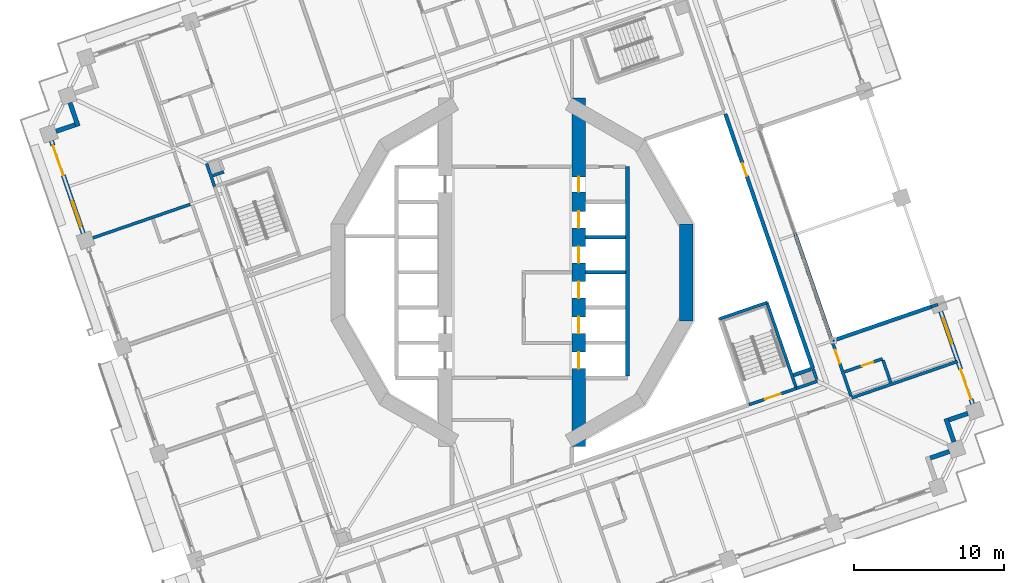
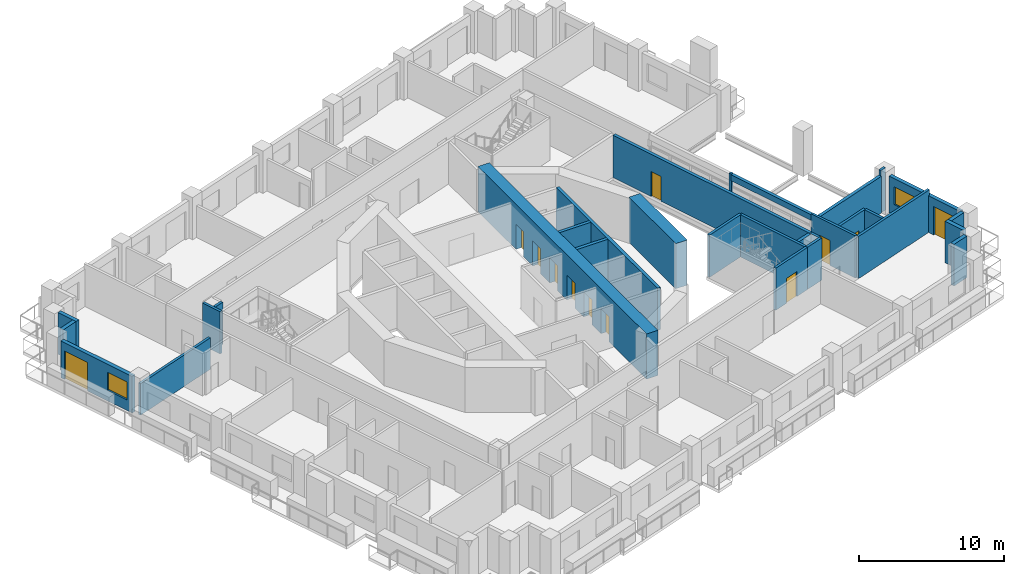
# One storey, part 11 of 22: 30 walls, 12 doors, 2 windows, 14 openings.
"""IFC4 building model written with IfcOpenShell, lengths in metres."""

from ifc_helpers import new_model, si_unit, direction, frame, frame_2d, origin, place, context, subcontext, project, spatial, rectangle, extrude, material, layer, layer_set, type_object, element, fill, save


model = new_model("IFC4")

# Units and contexts
model_context = context("Model", 3, precision=1e-05, world=origin(), true_north=direction((0.0, 1.0)))
body_context = subcontext(model_context, "Body", "Model", "MODEL_VIEW")
ifc_project = project(units=[si_unit("LENGTHUNIT", "METRE"), si_unit("AREAUNIT", "SQUARE_METRE"), si_unit("VOLUMEUNIT", "CUBIC_METRE"), si_unit("PLANEANGLEUNIT", "RADIAN"), si_unit("MASSUNIT", "GRAM", prefix="KILO")], contexts=[model_context])

# Site, building, storey
site_placement = place(None, origin())
site = spatial("IfcSite", under=ifc_project, at=site_placement, CompositionType="ELEMENT")
building_placement = place(site_placement, origin())
building = spatial("IfcBuilding", under=site, at=building_placement, Name="Cantera Rosa Tower", CompositionType="ELEMENT")
storey_placement = place(building_placement, frame((0.0, 0.0, 115.5)))
storey = spatial("IfcBuildingStorey", under=building, at=storey_placement, Name="L23", CompositionType="ELEMENT", Elevation=115.5)

# Walls
ifc_material_1 = material(Name="Gypsum board partition")
ifc_layer_1 = layer(ifc_material_1, 0.199951171875)
ifc_layer_set_1 = layer_set([ifc_layer_1], Name="CORRIDOR WALL 200 H3550")
wall_type_1 = type_object("IfcWallType", Name="CORRIDOR WALL 200 H3550", PredefinedType="PARTITIONING", material=ifc_layer_set_1)
wall_1_placement = place(storey_placement, frame((-20.37451171875, 7.262451171875, 0.0), z_axis=(0.0, 0.0, 1.0), x_axis=(0.325532736599, -0.945530770204, 0.0)))
element("IfcWall", 1, at=wall_1_placement, inside=storey, type_object=wall_type_1, Name="CORRIDOR WALL L23-008", PredefinedType="PARTITIONING", context=body_context, shape_type="SweptSolid", body=[
    extrude(rectangle(XDim=1.626708984375, YDim=0.199951171875, at=frame_2d((0.8134765625, 0.0))), origin(), (0.0, 0.0, 1.0), 3.550048828125),
])
wall_2_placement = place(storey_placement, frame((18.978271484375, -7.7431640625, 0.0), z_axis=(0.0, 0.0, 1.0), x_axis=(0.945529243519, 0.32553717092, 0.0)))
element("IfcWall", 2, at=wall_2_placement, inside=storey, type_object=wall_type_1, Name="CORRIDOR WALL L23-101", PredefinedType="PARTITIONING", context=body_context, shape_type="SweptSolid", body=[
    extrude(rectangle(XDim=1.4765625, YDim=0.199951171875, at=frame_2d((0.73828125, 0.0))), origin(), (0.0, 0.0, 1.0), 3.550048828125),
])
wall_3_placement = place(storey_placement, frame((20.33544921875, -7.14892578125, 0.0), z_axis=(0.0, 0.0, 1.0), x_axis=(-0.32575306004, 0.945454887276, 0.0)))
element("IfcWall", 3, at=wall_3_placement, inside=storey, type_object=wall_type_1, Name="CORRIDOR WALL L23-104", PredefinedType="PARTITIONING", context=body_context, shape_type="SweptSolid", body=[
    extrude(rectangle(XDim=0.760009765625, YDim=0.199951171875, at=frame_2d((0.3798828125, 0.0))), origin(), (0.0, 0.0, 1.0), 3.550048828125),
])

# Wall, opening, door
wall_4_placement = place(storey_placement, frame((22.623291015625, -8.264892578125, 0.0), z_axis=(0.0, 0.0, 1.0), x_axis=(-0.325528940761, 0.945532077048, 0.0)))
wall_4 = element("IfcWall", 4, at=wall_4_placement, inside=storey, type_object=wall_type_1, Name="CORRIDOR WALL L23-107", PredefinedType="PARTITIONING", context=body_context, shape_type="SweptSolid", body=[
    extrude(rectangle(XDim=4.025146484375, YDim=0.199951171875, at=frame_2d((2.0126953125, 0.0))), origin(), (0.0, 0.0, 1.0), 3.550048828125),
])
opening_1_placement = place(wall_4_placement, frame((2.31494140625, 0.0, 0.0)))
opening_1 = element("IfcOpeningElement", 5, at=opening_1_placement, cuts=wall_4, Name="Opening L23-015", PredefinedType="OPENING", context=body_context, shape_type="SweptSolid", body=[
    extrude(rectangle(XDim=0.949951171875, YDim=2.10009765625, at=frame_2d((0.47509765625, 1.050048828125))), frame((0.0, 0.10986328125, 0.0), z_axis=(0.0, -1.0, 0.0), x_axis=(1.0, 0.0, 0.0)), (0.0, 0.0, 1.0), 0.219970703125),
])
ifc_material_2 = material(Name="Timber door leaf", Category="wood")
door_type_1 = type_object("IfcDoorType", Name="ROOM DOOR 950x2100", OperationType="NOTDEFINED", PredefinedType="DOOR", material=ifc_material_2)
door_1_placement = place(opening_1_placement, origin())
door_1 = element("IfcDoor", 6, at=door_1_placement, inside=storey, type_object=door_type_1, Name="DOOR L23-015", OperationType="NOTDEFINED", OverallHeight=2.10009765625, OverallWidth=0.949951171875, PredefinedType="DOOR", context=body_context, shape_type="SweptSolid", body=[
    extrude(rectangle(XDim=0.949951171875, YDim=2.10009765625, at=frame_2d((0.47509765625, 1.050048828125))), frame((0.0, 0.02490234375, 0.0), z_axis=(0.0, -1.0, 0.0), x_axis=(1.0, 0.0, 0.0)), (0.0, 0.0, 1.0), 0.050048828125),
])
fill(opening_1, door_1)

# Walls
wall_5_placement = place(storey_placement, frame((18.93701171875, 2.44140625, 0.0), z_axis=(0.0, 0.0, 1.0), x_axis=(-0.326029477127, 0.945359603561, 0.0)))
element("IfcWall", 7, at=wall_5_placement, inside=storey, type_object=wall_type_1, Name="CORRIDOR WALL L23-108", PredefinedType="PARTITIONING", context=body_context, shape_type="SweptSolid", body=[
    extrude(rectangle(XDim=0.19384765625, YDim=0.199951171875, at=frame_2d((0.096923828125, 0.0))), origin(), (0.0, 0.0, 1.0), 3.550048828125),
])
ifc_material_3 = material(Name="Hollow clay masonry with cantera stone cladding", Category="masonry")
ifc_layer_2 = layer(ifc_material_3, 0.300048828125)
ifc_layer_set_2 = layer_set([ifc_layer_2], Name="EW-LOGGIA 300")
wall_type_2 = type_object("IfcWallType", Name="EW-LOGGIA 300", PredefinedType="SOLIDWALL", material=ifc_layer_set_2)
wall_6_placement = place(storey_placement, frame((-29.490478515625, 11.315185546875, 0.0), z_axis=(0.0, 0.0, 1.0), x_axis=(0.32553462645, -0.945530119553, 0.0)))
element("IfcWall", 8, at=wall_6_placement, inside=storey, type_object=wall_type_2, Name="EN-L23-W15a", PredefinedType="SOLIDWALL", context=body_context, shape_type="SweptSolid", body=[
    extrude(rectangle(XDim=1.64990234375, YDim=0.300048828125, at=frame_2d((0.824951171875, 0.0))), origin(), (0.0, 0.0, 1.0), 3.5),
])
wall_7_placement = place(storey_placement, frame((-29.14404296875, 9.84814453125, 0.0), z_axis=(0.0, 0.0, 1.0), x_axis=(-0.945526634763, -0.325544748006, 0.0)))
element("IfcWall", 9, at=wall_7_placement, inside=storey, type_object=wall_type_2, Name="EN-L23-W15b", PredefinedType="SOLIDWALL", context=body_context, shape_type="SweptSolid", body=[
    extrude(rectangle(XDim=1.349853515625, YDim=0.300048828125, at=frame_2d((0.6748046875, 0.0))), origin(), (0.0, 0.0, 1.0), 3.5),
])
wall_8_placement = place(storey_placement, frame((27.904052734375, -12.390380859375, 0.0), z_axis=(0.0, 0.0, 1.0), x_axis=(0.945545797087, 0.325489086777, 0.0)))
element("IfcWall", 10, at=wall_8_placement, inside=storey, type_object=wall_type_2, Name="EN-L23-W29b", PredefinedType="SOLIDWALL", context=body_context, shape_type="SweptSolid", body=[
    extrude(rectangle(XDim=1.35009765625, YDim=0.300048828125, at=frame_2d((0.675048828125, 0.0))), origin(), (0.0, 0.0, 1.0), 3.5),
])
wall_9_placement = place(storey_placement, frame((29.490478515625, -11.315185546875, 0.0), z_axis=(0.0, 0.0, 1.0), x_axis=(-0.32553462645, 0.945530119553, 0.0)))
element("IfcWall", 11, at=wall_9_placement, inside=storey, type_object=wall_type_2, Name="EN-L23-W30a", PredefinedType="SOLIDWALL", context=body_context, shape_type="SweptSolid", body=[
    extrude(rectangle(XDim=1.64990234375, YDim=0.300048828125, at=frame_2d((0.824951171875, 0.0))), origin(), (0.0, 0.0, 1.0), 3.5),
])
wall_10_placement = place(storey_placement, frame((29.14404296875, -9.84814453125, 0.0), z_axis=(0.0, 0.0, 1.0), x_axis=(0.945526634763, 0.325544748006, 0.0)))
element("IfcWall", 12, at=wall_10_placement, inside=storey, type_object=wall_type_2, Name="EN-L23-W30b", PredefinedType="SOLIDWALL", context=body_context, shape_type="SweptSolid", body=[
    extrude(rectangle(XDim=1.349853515625, YDim=0.300048828125, at=frame_2d((0.6748046875, 0.0))), origin(), (0.0, 0.0, 1.0), 3.5),
])

# Wall, openings, window, door
ifc_material_4 = material(Name="Hollow clay masonry with cantera stone cladding", Category="masonry")
ifc_layer_3 = layer(ifc_material_4, 0.300048828125)
ifc_layer_set_3 = layer_set([ifc_layer_3], Name="EW-LOGGIA 300 H3090")
wall_type_3 = type_object("IfcWallType", Name="EW-LOGGIA 300 H3090", PredefinedType="SOLIDWALL", material=ifc_layer_set_3)
wall_11_placement = place(storey_placement, frame((30.73046875, -8.773193359375, 0.0), z_axis=(0.0, 0.0, 1.0), x_axis=(-0.325580990241, 0.945514155787, 0.0)))
wall_11 = element("IfcWall", 13, at=wall_11_placement, inside=storey, type_object=wall_type_3, Name="EN-L23-W01", PredefinedType="SOLIDWALL", context=body_context, shape_type="SweptSolid", body=[
    extrude(rectangle(XDim=6.52001953125, YDim=0.300048828125, at=frame_2d((3.260009765625, 0.0))), origin(), (0.0, 0.0, 1.0), 3.090087890625),
])
opening_2_placement = place(wall_11_placement, frame((0.330078125, 0.0, 0.0)))
opening_2 = element("IfcOpeningElement", 14, at=opening_2_placement, cuts=wall_11, Name="Opening L23-TD01", PredefinedType="OPENING", context=body_context, shape_type="SweptSolid", body=[
    extrude(rectangle(XDim=2.10009765625, YDim=2.39990234375, at=frame_2d((1.050048828125, 1.199951171875))), frame((0.0, 0.159912109375, 0.0), z_axis=(0.0, -1.0, 0.0), x_axis=(1.0, 0.0, 0.0)), (0.0, 0.0, 1.0), 0.320068359375),
])
opening_3_placement = place(wall_11_placement, frame((4.239990234375, 0.0, 0.89990234375)))
opening_3 = element("IfcOpeningElement", 15, at=opening_3_placement, cuts=wall_11, Name="Opening L23-W02", PredefinedType="OPENING", context=body_context, shape_type="SweptSolid", body=[
    extrude(rectangle(XDim=1.800048828125, YDim=1.5, at=frame_2d((0.89990234375, 0.75))), frame((0.0, 0.159912109375, 0.0), z_axis=(0.0, -1.0, 0.0), x_axis=(1.0, 0.0, 0.0)), (0.0, 0.0, 1.0), 0.320068359375),
])
ifc_material_5 = material(Name="Aluminium frame with clear glass", Category="aluminium")
window_type = type_object("IfcWindowType", Name="Hotel room window 1800x1500", PartitioningType="DOUBLE_PANEL_VERTICAL", PredefinedType="WINDOW", material=ifc_material_5)
window_1_placement = place(opening_3_placement, origin())
window_1 = element("IfcWindow", 16, at=window_1_placement, inside=storey, type_object=window_type, Name="WINDOW L23-W02", OverallHeight=1.5, OverallWidth=1.800048828125, PartitioningType="SINGLE_PANEL", PredefinedType="WINDOW", context=body_context, shape_type="SweptSolid", body=[
    extrude(rectangle(XDim=1.800048828125, YDim=1.5, at=frame_2d((0.89990234375, 0.75))), frame((0.0, 0.030029296875, 0.0), z_axis=(0.0, -1.0, 0.0), x_axis=(1.0, 0.0, 0.0)), (0.0, 0.0, 1.0), 0.06005859375),
])
fill(opening_3, window_1)
ifc_material_6 = material(Name="Aluminium frame with clear glass", Category="aluminium")
door_type_2 = type_object("IfcDoorType", Name="TD-H 2100x2400", OperationType="NOTDEFINED", PredefinedType="DOOR", material=ifc_material_6)
door_2_placement = place(opening_2_placement, origin())
door_2 = element("IfcDoor", 17, at=door_2_placement, inside=storey, type_object=door_type_2, Name="LOGGIA DOOR L23-TD01", OperationType="SLIDING_TO_LEFT", OverallHeight=2.39990234375, OverallWidth=2.10009765625, PredefinedType="DOOR", context=body_context, shape_type="SweptSolid", body=[
    extrude(rectangle(XDim=2.10009765625, YDim=2.39990234375, at=frame_2d((1.050048828125, 1.199951171875))), frame((0.0, 0.02490234375, 0.0), z_axis=(0.0, -1.0, 0.0), x_axis=(1.0, 0.0, 0.0)), (0.0, 0.0, 1.0), 0.050048828125),
])
fill(opening_2, door_2)

wall_12_placement = place(storey_placement, frame((-30.73046875, 8.773193359375, 0.0), z_axis=(0.0, 0.0, 1.0), x_axis=(0.325580990241, -0.945514155787, 0.0)))
wall_12 = element("IfcWall", 18, at=wall_12_placement, inside=storey, type_object=wall_type_3, Name="EN-L23-W16", PredefinedType="SOLIDWALL", context=body_context, shape_type="SweptSolid", body=[
    extrude(rectangle(XDim=6.52001953125, YDim=0.300048828125, at=frame_2d((3.260009765625, 0.0))), origin(), (0.0, 0.0, 1.0), 3.090087890625),
])
opening_4_placement = place(wall_12_placement, frame((0.330078125, 0.0, 0.0)))
opening_4 = element("IfcOpeningElement", 19, at=opening_4_placement, cuts=wall_12, Name="Opening L23-TD19", PredefinedType="OPENING", context=body_context, shape_type="SweptSolid", body=[
    extrude(rectangle(XDim=2.10009765625, YDim=2.39990234375, at=frame_2d((1.050048828125, 1.199951171875))), frame((0.0, 0.159912109375, 0.0), z_axis=(0.0, -1.0, 0.0), x_axis=(1.0, 0.0, 0.0)), (0.0, 0.0, 1.0), 0.320068359375),
])
opening_5_placement = place(wall_12_placement, frame((4.239990234375, 0.0, 0.89990234375)))
opening_5 = element("IfcOpeningElement", 20, at=opening_5_placement, cuts=wall_12, Name="Opening L23-W20", PredefinedType="OPENING", context=body_context, shape_type="SweptSolid", body=[
    extrude(rectangle(XDim=1.800048828125, YDim=1.5, at=frame_2d((0.89990234375, 0.75))), frame((0.0, 0.159912109375, 0.0), z_axis=(0.0, -1.0, 0.0), x_axis=(1.0, 0.0, 0.0)), (0.0, 0.0, 1.0), 0.320068359375),
])
window_2_placement = place(opening_5_placement, origin())
window_2 = element("IfcWindow", 21, at=window_2_placement, inside=storey, type_object=window_type, Name="WINDOW L23-W20", OverallHeight=1.5, OverallWidth=1.800048828125, PartitioningType="SINGLE_PANEL", PredefinedType="WINDOW", context=body_context, shape_type="SweptSolid", body=[
    extrude(rectangle(XDim=1.800048828125, YDim=1.5, at=frame_2d((0.89990234375, 0.75))), frame((0.0, 0.030029296875, 0.0), z_axis=(0.0, -1.0, 0.0), x_axis=(1.0, 0.0, 0.0)), (0.0, 0.0, 1.0), 0.06005859375),
])
fill(opening_5, window_2)
door_3_placement = place(opening_4_placement, origin())
door_3 = element("IfcDoor", 22, at=door_3_placement, inside=storey, type_object=door_type_2, Name="LOGGIA DOOR L23-TD19", OperationType="SLIDING_TO_LEFT", OverallHeight=2.39990234375, OverallWidth=2.10009765625, PredefinedType="DOOR", context=body_context, shape_type="SweptSolid", body=[
    extrude(rectangle(XDim=2.10009765625, YDim=2.39990234375, at=frame_2d((1.050048828125, 1.199951171875))), frame((0.0, 0.02490234375, 0.0), z_axis=(0.0, -1.0, 0.0), x_axis=(1.0, 0.0, 0.0)), (0.0, 0.0, 1.0), 0.050048828125),
])
fill(opening_4, door_3)

# Walls
ifc_material_7 = material(Name="Concrete C40/50", Category="concrete")
ifc_layer_4 = layer(ifc_material_7, 0.25)
ifc_layer_set_4 = layer_set([ifc_layer_4], Name="EW-POCKET CHEEK 250 H3090")
wall_type_4 = type_object("IfcWallType", Name="EW-POCKET CHEEK 250 H3090", PredefinedType="SOLIDWALL", material=ifc_layer_set_4)
wall_13_placement = place(storey_placement, frame((27.97216796875, -2.29833984375, 0.0), z_axis=(0.0, 0.0, 1.0), x_axis=(-0.945519909688, -0.325564279958, 0.0)))
element("IfcWall", 23, at=wall_13_placement, inside=storey, type_object=wall_type_4, Name="POCKET CHEEK A L23", PredefinedType="SOLIDWALL", context=body_context, shape_type="SweptSolid", body=[
    extrude(rectangle(XDim=6.89990234375, YDim=0.25, at=frame_2d((3.449951171875, 0.0))), origin(), (0.0, 0.0, 1.0), 3.090087890625),
])
ifc_material_8 = material(Name="Hollow clay masonry with cantera stone cladding", Category="masonry")
ifc_layer_5 = layer(ifc_material_8, 0.25)
ifc_layer_set_5 = layer_set([ifc_layer_5], Name="EW-POCKET REAR 250")
wall_type_5 = type_object("IfcWallType", Name="EW-POCKET REAR 250", PredefinedType="SOLIDWALL", material=ifc_layer_set_5)
wall_14_placement = place(storey_placement, frame((21.31298828125, -4.459228515625, 3.010009765625), z_axis=(0.0, 0.0, 1.0), x_axis=(-0.325565891611, 0.945519354757, 0.0)))
element("IfcWall", 24, at=wall_14_placement, inside=storey, type_object=wall_type_5, Name="POCKET SPANDREL L23-1", PredefinedType="SOLIDWALL", context=body_context, shape_type="SweptSolid", body=[
    extrude(rectangle(XDim=7.298095703125, YDim=0.25, at=frame_2d((3.64892578125, 0.0))), origin(), (0.0, 0.0, 1.0), 0.489990234375),
])
ifc_material_9 = material(Name="Gypsum board partition")
ifc_layer_6 = layer(ifc_material_9, 0.199951171875)
ifc_layer_set_6 = layer_set([ifc_layer_6], Name="PARTITION 200 H3550")
wall_type_6 = type_object("IfcWallType", Name="PARTITION 200 H3550", PredefinedType="PARTITIONING", material=ifc_layer_set_6)
wall_15_placement = place(storey_placement, frame((-19.968017578125, 6.450439453125, 0.0), z_axis=(0.0, 0.0, 1.0), x_axis=(0.945539165087, 0.325508352099, 0.0)))
element("IfcWall", 25, at=wall_15_placement, inside=storey, type_object=wall_type_6, Name="PARTITION L23-009", PredefinedType="PARTITIONING", context=body_context, shape_type="SweptSolid", body=[
    extrude(rectangle(XDim=0.780029296875, YDim=0.199951171875, at=frame_2d((0.39013671875, 0.0))), origin(), (0.0, 0.0, 1.0), 3.550048828125),
])
wall_16_placement = place(storey_placement, frame((27.97216796875, -2.29833984375, 0.0), z_axis=(0.0, 0.0, 1.0), x_axis=(0.94546679243, 0.325718504865, 0.0)))
element("IfcWall", 26, at=wall_16_placement, inside=storey, type_object=wall_type_6, Name="PARTITION L23-105", PredefinedType="PARTITIONING", context=body_context, shape_type="SweptSolid", body=[
    extrude(rectangle(XDim=0.469970703125, YDim=0.199951171875, at=frame_2d((0.23486328125, 0.0))), origin(), (0.0, 0.0, 1.0), 3.550048828125),
])

# Wall, opening, door
wall_17_placement = place(storey_placement, frame((22.189697265625, -6.63720703125, 0.0), z_axis=(0.0, 0.0, 1.0), x_axis=(0.945549995074, 0.325476891368, 0.0)))
wall_17 = element("IfcWall", 27, at=wall_17_placement, inside=storey, type_object=wall_type_6, Name="PARTITION L23-106", PredefinedType="PARTITIONING", context=body_context, shape_type="SweptSolid", body=[
    extrude(rectangle(XDim=2.68017578125, YDim=0.199951171875, at=frame_2d((1.340087890625, 0.0))), origin(), (0.0, 0.0, 1.0), 3.550048828125),
])
opening_6_placement = place(wall_17_placement, frame((1.216064453125, 0.0, 0.0)))
opening_6 = element("IfcOpeningElement", 28, at=opening_6_placement, cuts=wall_17, Name="Opening L23-016", PredefinedType="OPENING", context=body_context, shape_type="SweptSolid", body=[
    extrude(rectangle(XDim=0.800048828125, YDim=2.10009765625, at=frame_2d((0.39990234375, 1.050048828125))), frame((0.0, 0.10986328125, 0.0), z_axis=(0.0, -1.0, 0.0), x_axis=(1.0, 0.0, 0.0)), (0.0, 0.0, 1.0), 0.219970703125),
])
ifc_material_10 = material(Name="Timber door leaf", Category="wood")
door_type_3 = type_object("IfcDoorType", Name="BATHROOM DOOR 800x2100", OperationType="NOTDEFINED", PredefinedType="DOOR", material=ifc_material_10)
door_4_placement = place(opening_6_placement, origin())
door_4 = element("IfcDoor", 29, at=door_4_placement, inside=storey, type_object=door_type_3, Name="DOOR L23-016", OperationType="NOTDEFINED", OverallHeight=2.10009765625, OverallWidth=0.800048828125, PredefinedType="DOOR", context=body_context, shape_type="SweptSolid", body=[
    extrude(rectangle(XDim=0.800048828125, YDim=2.10009765625, at=frame_2d((0.39990234375, 1.050048828125))), frame((0.0, 0.02490234375, 0.0), z_axis=(0.0, -1.0, 0.0), x_axis=(1.0, 0.0, 0.0)), (0.0, 0.0, 1.0), 0.050048828125),
])
fill(opening_6, door_4)

# Walls
wall_18_placement = place(storey_placement, frame((24.75634765625, -5.859375, 0.0), z_axis=(0.0, 0.0, 1.0), x_axis=(0.325576351052, -0.945515753246, 0.0)))
element("IfcWall", 30, at=wall_18_placement, inside=storey, type_object=wall_type_6, Name="PARTITION L23-111", PredefinedType="PARTITIONING", context=body_context, shape_type="SweptSolid", body=[
    extrude(rectangle(XDim=1.580078125, YDim=0.199951171875, at=frame_2d((0.7900390625, 0.0))), origin(), (0.0, 0.0, 1.0), 3.550048828125),
])
ifc_material_11 = material(Name="Gypsum board partition")
ifc_layer_7 = layer(ifc_material_11, 0.199951171875)
ifc_layer_set_7 = layer_set([ifc_layer_7], Name="PARTY WALL 200 H2650")
wall_type_7 = type_object("IfcWallType", Name="PARTY WALL 200 H2650", PredefinedType="PARTITIONING", material=ifc_layer_set_7)
wall_19_placement = place(storey_placement, frame((-28.41650390625, 2.145263671875, 0.0), z_axis=(0.0, 0.0, 1.0), x_axis=(0.945511269654, 0.32558937169, 0.0)))
element("IfcWall", 31, at=wall_19_placement, inside=storey, type_object=wall_type_7, Name="PARTY WALL L23-001", PredefinedType="PARTITIONING", context=body_context, shape_type="SweptSolid", body=[
    extrude(rectangle(XDim=7.349853515625, YDim=0.199951171875, at=frame_2d((3.6748046875, 0.0))), origin(), (0.0, 0.0, 1.0), 2.64990234375),
])
ifc_material_12 = material(Name="Gypsum board partition")
ifc_layer_8 = layer(ifc_material_12, 0.199951171875)
ifc_layer_set_8 = layer_set([ifc_layer_8], Name="PARTY WALL 200 H3550")
wall_type_8 = type_object("IfcWallType", Name="PARTY WALL 200 H3550", PredefinedType="PARTITIONING", material=ifc_layer_set_8)
wall_20_placement = place(storey_placement, frame((29.725341796875, -5.9462890625, 0.0), z_axis=(0.0, 0.0, 1.0), x_axis=(-0.945512517373, -0.325585748291, 0.0)))
element("IfcWall", 32, at=wall_20_placement, inside=storey, type_object=wall_type_8, Name="PARTY WALL L23-112", PredefinedType="PARTITIONING", context=body_context, shape_type="SweptSolid", body=[
    extrude(rectangle(XDim=7.469970703125, YDim=0.199951171875, at=frame_2d((3.73486328125, 0.0))), origin(), (0.0, 0.0, 1.0), 3.550048828125),
])
ifc_material_13 = material(Name="Concrete C70/85", Category="concrete")
ifc_layer_9 = layer(ifc_material_13, 0.89990234375)
ifc_layer_set_9 = layer_set([ifc_layer_9], Name="RC CORE WALL 900 C70/85")
wall_type_9 = type_object("IfcWallType", Name="RC CORE WALL 900 C70/85", PredefinedType="SHEAR", material=ifc_layer_set_9)
wall_21_placement = place(storey_placement, frame((11.6240234375, 3.2353515625, 0.0), z_axis=(0.0, 0.0, 1.0), x_axis=(0.0, -1.0, 0.0)))
element("IfcWall", 33, at=wall_21_placement, inside=storey, type_object=wall_type_9, Name="CW-E3 L23", PredefinedType="SHEAR", context=body_context, shape_type="SweptSolid", body=[
    extrude(rectangle(XDim=6.470703125, YDim=0.89990234375, at=frame_2d((3.2353515625, 0.0))), origin(), (0.0, 0.0, 1.0), 3.800048828125),
])

# Wall, openings, doors
wall_22_placement = place(storey_placement, frame((4.449951171875, -11.632568359375, 0.0), z_axis=(0.0, 0.0, 1.0), x_axis=(0.0, 1.0, 0.0)))
wall_22 = element("IfcWall", 34, at=wall_22_placement, inside=storey, type_object=wall_type_9, Name="CW-E6 L23", PredefinedType="SHEAR", context=body_context, shape_type="SweptSolid", body=[
    extrude(rectangle(XDim=23.26513671875, YDim=0.89990234375, at=frame_2d((11.632568359375, 0.0))), origin(), (0.0, 0.0, 1.0), 3.800048828125),
])
opening_7_placement = place(wall_22_placement, frame((7.5576171875, 0.0, 0.0)))
opening_7 = element("IfcOpeningElement", 35, at=opening_7_placement, cuts=wall_22, Name="Opening LD-FF1-L23", PredefinedType="OPENING", context=body_context, shape_type="SweptSolid", body=[
    extrude(rectangle(XDim=1.10009765625, YDim=2.10009765625, at=frame_2d((0.550048828125, 1.050048828125))), frame((0.0, 0.4599609375, 0.0), z_axis=(0.0, -1.0, 0.0), x_axis=(1.0, 0.0, 0.0)), (0.0, 0.0, 1.0), 0.919921875),
])
opening_8_placement = place(wall_22_placement, frame((9.907470703125, 0.0, 0.0)))
opening_8 = element("IfcOpeningElement", 36, at=opening_8_placement, cuts=wall_22, Name="Opening LD-FF2-L23", PredefinedType="OPENING", context=body_context, shape_type="SweptSolid", body=[
    extrude(rectangle(XDim=1.10009765625, YDim=2.10009765625, at=frame_2d((0.550048828125, 1.050048828125))), frame((0.0, 0.4599609375, 0.0), z_axis=(0.0, -1.0, 0.0), x_axis=(1.0, 0.0, 0.0)), (0.0, 0.0, 1.0), 0.919921875),
])
opening_9_placement = place(wall_22_placement, frame((12.257568359375, 0.0, 0.0)))
opening_9 = element("IfcOpeningElement", 37, at=opening_9_placement, cuts=wall_22, Name="Opening LD-P1-L23", PredefinedType="OPENING", context=body_context, shape_type="SweptSolid", body=[
    extrude(rectangle(XDim=1.10009765625, YDim=2.10009765625, at=frame_2d((0.550048828125, 1.050048828125))), frame((0.0, 0.4599609375, 0.0), z_axis=(0.0, -1.0, 0.0), x_axis=(1.0, 0.0, 0.0)), (0.0, 0.0, 1.0), 0.919921875),
])
opening_10_placement = place(wall_22_placement, frame((14.607421875, 0.0, 0.0)))
opening_10 = element("IfcOpeningElement", 38, at=opening_10_placement, cuts=wall_22, Name="Opening LD-P2-L23", PredefinedType="OPENING", context=body_context, shape_type="SweptSolid", body=[
    extrude(rectangle(XDim=1.10009765625, YDim=2.10009765625, at=frame_2d((0.550048828125, 1.050048828125))), frame((0.0, 0.4599609375, 0.0), z_axis=(0.0, -1.0, 0.0), x_axis=(1.0, 0.0, 0.0)), (0.0, 0.0, 1.0), 0.919921875),
])
opening_11_placement = place(wall_22_placement, frame((5.20751953125, 0.0, 0.0)))
opening_11 = element("IfcOpeningElement", 39, at=opening_11_placement, cuts=wall_22, Name="Opening LD-P6-L23", PredefinedType="OPENING", context=body_context, shape_type="SweptSolid", body=[
    extrude(rectangle(XDim=1.10009765625, YDim=2.10009765625, at=frame_2d((0.550048828125, 1.050048828125))), frame((0.0, 0.4599609375, 0.0), z_axis=(0.0, -1.0, 0.0), x_axis=(1.0, 0.0, 0.0)), (0.0, 0.0, 1.0), 0.919921875),
])
opening_12_placement = place(wall_22_placement, frame((17.007568359375, 0.0, 0.0)))
opening_12 = element("IfcOpeningElement", 40, at=opening_12_placement, cuts=wall_22, Name="Opening SD-L23-13", PredefinedType="OPENING", context=body_context, shape_type="SweptSolid", body=[
    extrude(rectangle(XDim=1.0, YDim=2.10009765625, at=frame_2d((0.5, 1.050048828125))), frame((0.0, 0.4599609375, 0.0), z_axis=(0.0, -1.0, 0.0), x_axis=(1.0, 0.0, 0.0)), (0.0, 0.0, 1.0), 0.919921875),
])
ifc_material_14 = material(Name="Steel S355J2 (EN 10025-2)", Category="steel")
door_type_4 = type_object("IfcDoorType", Name="LANDING DOOR 1100x2100", OperationType="NOTDEFINED", PredefinedType="DOOR", material=ifc_material_14)
door_5_placement = place(opening_7_placement, origin())
door_5 = element("IfcDoor", 41, at=door_5_placement, inside=storey, type_object=door_type_4, Name="LANDING DOOR FF1 L23", OperationType="SLIDING_TO_LEFT", OverallHeight=2.10009765625, OverallWidth=1.10009765625, PredefinedType="DOOR", context=body_context, shape_type="SweptSolid", body=[
    extrude(rectangle(XDim=1.10009765625, YDim=2.10009765625, at=frame_2d((0.550048828125, 1.050048828125))), frame((0.0, 0.02490234375, 0.0), z_axis=(0.0, -1.0, 0.0), x_axis=(1.0, 0.0, 0.0)), (0.0, 0.0, 1.0), 0.050048828125),
])
fill(opening_7, door_5)
door_6_placement = place(opening_8_placement, origin())
door_6 = element("IfcDoor", 42, at=door_6_placement, inside=storey, type_object=door_type_4, Name="LANDING DOOR FF2 L23", OperationType="SLIDING_TO_LEFT", OverallHeight=2.10009765625, OverallWidth=1.10009765625, PredefinedType="DOOR", context=body_context, shape_type="SweptSolid", body=[
    extrude(rectangle(XDim=1.10009765625, YDim=2.10009765625, at=frame_2d((0.550048828125, 1.050048828125))), frame((0.0, 0.02490234375, 0.0), z_axis=(0.0, -1.0, 0.0), x_axis=(1.0, 0.0, 0.0)), (0.0, 0.0, 1.0), 0.050048828125),
])
fill(opening_8, door_6)
door_7_placement = place(opening_9_placement, origin())
door_7 = element("IfcDoor", 43, at=door_7_placement, inside=storey, type_object=door_type_4, Name="LANDING DOOR P1 L23", OperationType="SLIDING_TO_LEFT", OverallHeight=2.10009765625, OverallWidth=1.10009765625, PredefinedType="DOOR", context=body_context, shape_type="SweptSolid", body=[
    extrude(rectangle(XDim=1.10009765625, YDim=2.10009765625, at=frame_2d((0.550048828125, 1.050048828125))), frame((0.0, 0.02490234375, 0.0), z_axis=(0.0, -1.0, 0.0), x_axis=(1.0, 0.0, 0.0)), (0.0, 0.0, 1.0), 0.050048828125),
])
fill(opening_9, door_7)
door_8_placement = place(opening_10_placement, origin())
door_8 = element("IfcDoor", 44, at=door_8_placement, inside=storey, type_object=door_type_4, Name="LANDING DOOR P2 L23", OperationType="SLIDING_TO_LEFT", OverallHeight=2.10009765625, OverallWidth=1.10009765625, PredefinedType="DOOR", context=body_context, shape_type="SweptSolid", body=[
    extrude(rectangle(XDim=1.10009765625, YDim=2.10009765625, at=frame_2d((0.550048828125, 1.050048828125))), frame((0.0, 0.02490234375, 0.0), z_axis=(0.0, -1.0, 0.0), x_axis=(1.0, 0.0, 0.0)), (0.0, 0.0, 1.0), 0.050048828125),
])
fill(opening_10, door_8)
door_9_placement = place(opening_11_placement, origin())
door_9 = element("IfcDoor", 45, at=door_9_placement, inside=storey, type_object=door_type_4, Name="LANDING DOOR P6 L23", OperationType="SLIDING_TO_LEFT", OverallHeight=2.10009765625, OverallWidth=1.10009765625, PredefinedType="DOOR", context=body_context, shape_type="SweptSolid", body=[
    extrude(rectangle(XDim=1.10009765625, YDim=2.10009765625, at=frame_2d((0.550048828125, 1.050048828125))), frame((0.0, 0.02490234375, 0.0), z_axis=(0.0, -1.0, 0.0), x_axis=(1.0, 0.0, 0.0)), (0.0, 0.0, 1.0), 0.050048828125),
])
fill(opening_11, door_9)
ifc_material_15 = material(Name="Timber door leaf", Category="wood")
door_type_5 = type_object("IfcDoorType", Name="SERVICE DOOR 1000x2100", OperationType="NOTDEFINED", PredefinedType="DOOR", material=ifc_material_15)
door_10_placement = place(opening_12_placement, origin())
door_10 = element("IfcDoor", 46, at=door_10_placement, inside=storey, type_object=door_type_5, Name="DOOR L23-SD13", OperationType="NOTDEFINED", OverallHeight=2.10009765625, OverallWidth=1.0, PredefinedType="DOOR", context=body_context, shape_type="SweptSolid", body=[
    extrude(rectangle(XDim=1.0, YDim=2.10009765625, at=frame_2d((0.5, 1.050048828125))), frame((0.0, 0.02490234375, 0.0), z_axis=(0.0, -1.0, 0.0), x_axis=(1.0, 0.0, 0.0)), (0.0, 0.0, 1.0), 0.050048828125),
])
fill(opening_12, door_10)

# Walls
ifc_material_16 = material(Name="Masonry blockwork", Category="masonry")
ifc_layer_10 = layer(ifc_material_16, 0.25)
ifc_layer_set_10 = layer_set([ifc_layer_10], Name="SHAFT WALL 250 H3550")
wall_type_10 = type_object("IfcWallType", Name="SHAFT WALL 250 H3550", PredefinedType="SOLIDWALL", material=ifc_layer_set_10)
wall_23_placement = place(storey_placement, frame((4.89990234375, 0.0, 0.0), z_axis=(0.0, 0.0, 1.0), x_axis=(1.0, 0.0, 0.0)))
element("IfcWall", 47, at=wall_23_placement, inside=storey, type_object=wall_type_10, Name="SHAFT WALL L23-073", PredefinedType="SOLIDWALL", context=body_context, shape_type="SweptSolid", body=[
    extrude(rectangle(XDim=2.675048828125, YDim=0.25, at=frame_2d((1.33740234375, 0.0))), origin(), (0.0, 0.0, 1.0), 3.550048828125),
])
wall_24_placement = place(storey_placement, frame((7.699951171875, -6.929931640625, 0.0), z_axis=(0.0, 0.0, 1.0), x_axis=(0.0, 1.0, 0.0)))
element("IfcWall", 48, at=wall_24_placement, inside=storey, type_object=wall_type_10, Name="SHAFT WALL L23-080", PredefinedType="SOLIDWALL", context=body_context, shape_type="SweptSolid", body=[
    extrude(rectangle(XDim=13.97998046875, YDim=0.25, at=frame_2d((6.989990234375, 0.0))), origin(), (0.0, 0.0, 1.0), 3.550048828125),
])
wall_25_placement = place(storey_placement, frame((7.574951171875, 2.35009765625, 0.0), z_axis=(0.0, 0.0, 1.0), x_axis=(-1.0, 0.0, 0.0)))
element("IfcWall", 49, at=wall_25_placement, inside=storey, type_object=wall_type_10, Name="SHAFT WALL L23-082", PredefinedType="SOLIDWALL", context=body_context, shape_type="SweptSolid", body=[
    extrude(rectangle(XDim=2.675048828125, YDim=0.25, at=frame_2d((1.33740234375, 0.0))), origin(), (0.0, 0.0, 1.0), 3.550048828125),
])

# Wall, opening, door
wall_26_placement = place(storey_placement, frame((20.081298828125, -6.411376953125, 0.0), z_axis=(0.0, 0.0, 1.0), x_axis=(-0.325567528954, 0.945518790977, 0.0)))
wall_26 = element("IfcWall", 50, at=wall_26_placement, inside=storey, type_object=wall_type_10, Name="SHAFT WALL L23-102", PredefinedType="SOLIDWALL", context=body_context, shape_type="SweptSolid", body=[
    extrude(rectangle(XDim=17.9599609375, YDim=0.25, at=frame_2d((8.97998046875, 0.0))), origin(), (0.0, 0.0, 1.0), 3.550048828125),
])
opening_13_placement = place(wall_26_placement, frame((13.577392578125, 0.0, 0.0)))
opening_13 = element("IfcOpeningElement", 51, at=opening_13_placement, cuts=wall_26, Name="Opening L23-006", PredefinedType="OPENING", context=body_context, shape_type="SweptSolid", body=[
    extrude(rectangle(XDim=0.89990234375, YDim=2.10009765625, at=frame_2d((0.449951171875, 1.050048828125))), frame((0.0, 0.135009765625, 0.0), z_axis=(0.0, -1.0, 0.0), x_axis=(1.0, 0.0, 0.0)), (0.0, 0.0, 1.0), 0.27001953125),
])
ifc_material_17 = material(Name="Timber door leaf", Category="wood")
door_type_6 = type_object("IfcDoorType", Name="SERVICE DOOR 900x2100", OperationType="NOTDEFINED", PredefinedType="DOOR", material=ifc_material_17)
door_11_placement = place(opening_13_placement, origin())
door_11 = element("IfcDoor", 52, at=door_11_placement, inside=storey, type_object=door_type_6, Name="RISER DOOR L23-006", OperationType="NOTDEFINED", OverallHeight=2.10009765625, OverallWidth=0.89990234375, PredefinedType="DOOR", context=body_context, shape_type="SweptSolid", body=[
    extrude(rectangle(XDim=0.89990234375, YDim=2.10009765625, at=frame_2d((0.449951171875, 1.050048828125))), frame((0.0, 0.02490234375, 0.0), z_axis=(0.0, -1.0, 0.0), x_axis=(1.0, 0.0, 0.0)), (0.0, 0.0, 1.0), 0.050048828125),
])
fill(opening_13, door_11)

# Wall
wall_27_placement = place(storey_placement, frame((19.94921875, -6.45703125, 0.0), z_axis=(0.0, 0.0, 1.0), x_axis=(-0.945538581865, -0.325510046241, 0.0)))
element("IfcWall", 53, at=wall_27_placement, inside=storey, type_object=wall_type_10, Name="SHAFT WALL L23-103", PredefinedType="SOLIDWALL", context=body_context, shape_type="SweptSolid", body=[
    extrude(rectangle(XDim=1.23681640625, YDim=0.25, at=frame_2d((0.618408203125, 0.0))), origin(), (0.0, 0.0, 1.0), 3.550048828125),
])

# Wall, opening, door
ifc_material_18 = material(Name="Concrete C50/60", Category="concrete")
ifc_layer_11 = layer(ifc_material_18, 0.199951171875)
ifc_layer_set_11 = layer_set([ifc_layer_11], Name="STAIR WALL 200 H3550")
wall_type_11 = type_object("IfcWallType", Name="STAIR WALL 200 H3550", PredefinedType="SOLIDWALL", material=ifc_layer_set_11)
wall_28_placement = place(storey_placement, frame((15.810791015625, -8.833740234375, 0.0), z_axis=(0.0, 0.0, 1.0), x_axis=(0.945525450469, 0.325548187702, 0.0)))
wall_28 = element("IfcWall", 54, at=wall_28_placement, inside=storey, type_object=wall_type_11, Name="STAIR WALL L23-097", PredefinedType="SOLIDWALL", context=body_context, shape_type="SweptSolid", body=[
    extrude(rectangle(XDim=3.349853515625, YDim=0.199951171875, at=frame_2d((1.6748046875, 0.0))), origin(), (0.0, 0.0, 1.0), 3.550048828125),
])
opening_14_placement = place(wall_28_placement, frame((1.125, 0.0, 0.0)))
opening_14 = element("IfcOpeningElement", 55, at=opening_14_placement, cuts=wall_28, Name="Opening L23-003", PredefinedType="OPENING", context=body_context, shape_type="SweptSolid", body=[
    extrude(rectangle(XDim=1.10009765625, YDim=2.10009765625, at=frame_2d((0.550048828125, 1.050048828125))), frame((0.0, 0.10986328125, 0.0), z_axis=(0.0, -1.0, 0.0), x_axis=(1.0, 0.0, 0.0)), (0.0, 0.0, 1.0), 0.219970703125),
])
ifc_material_19 = material(Name="Steel S355J2 (EN 10025-2)", Category="steel")
door_type_7 = type_object("IfcDoorType", Name="STAIR DOOR 1100x2100", OperationType="NOTDEFINED", PredefinedType="DOOR", material=ifc_material_19)
door_12_placement = place(opening_14_placement, origin())
door_12 = element("IfcDoor", 56, at=door_12_placement, inside=storey, type_object=door_type_7, Name="DOOR L23-003", OperationType="NOTDEFINED", OverallHeight=2.10009765625, OverallWidth=1.10009765625, PredefinedType="DOOR", context=body_context, shape_type="SweptSolid", body=[
    extrude(rectangle(XDim=1.10009765625, YDim=2.10009765625, at=frame_2d((0.550048828125, 1.050048828125))), frame((0.0, 0.02490234375, 0.0), z_axis=(0.0, -1.0, 0.0), x_axis=(1.0, 0.0, 0.0)), (0.0, 0.0, 1.0), 0.050048828125),
])
fill(opening_14, door_12)

# Walls
wall_29_placement = place(storey_placement, frame((17.007080078125, -2.01806640625, 0.0), z_axis=(0.0, 0.0, 1.0), x_axis=(-0.945503015732, -0.325613340087, 0.0)))
element("IfcWall", 57, at=wall_29_placement, inside=storey, type_object=wall_type_11, Name="STAIR WALL L23-098", PredefinedType="SOLIDWALL", context=body_context, shape_type="SweptSolid", body=[
    extrude(rectangle(XDim=3.35009765625, YDim=0.199951171875, at=frame_2d((1.675048828125, 0.0))), origin(), (0.0, 0.0, 1.0), 3.550048828125),
])
wall_30_placement = place(storey_placement, frame((17.007080078125, -2.01806640625, 0.0), z_axis=(0.0, 0.0, 1.0), x_axis=(0.325550760545, -0.945524564625, 0.0)))
element("IfcWall", 58, at=wall_30_placement, inside=storey, type_object=wall_type_11, Name="STAIR WALL L23-099", PredefinedType="SOLIDWALL", context=body_context, shape_type="SweptSolid", body=[
    extrude(rectangle(XDim=6.054931640625, YDim=0.199951171875, at=frame_2d((3.02734375, 0.0))), origin(), (0.0, 0.0, 1.0), 3.550048828125),
])

save(model, "model.ifc")
